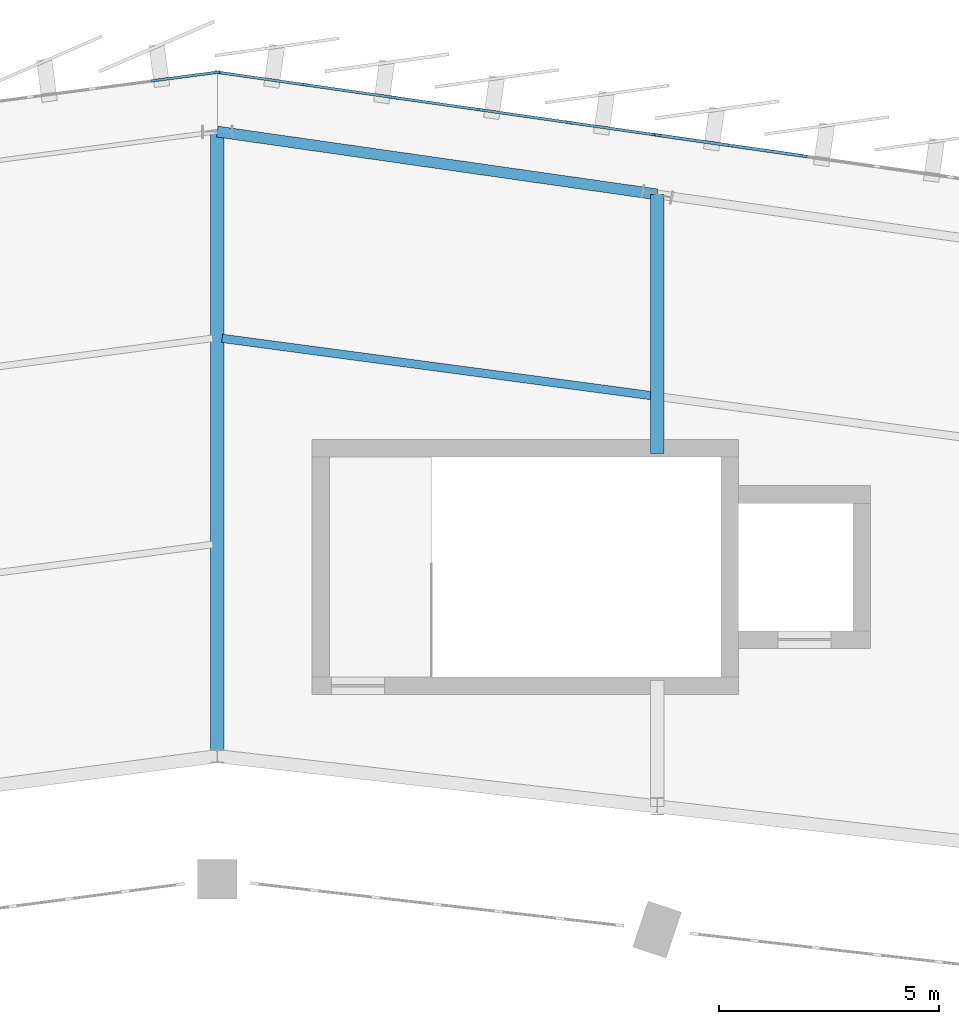
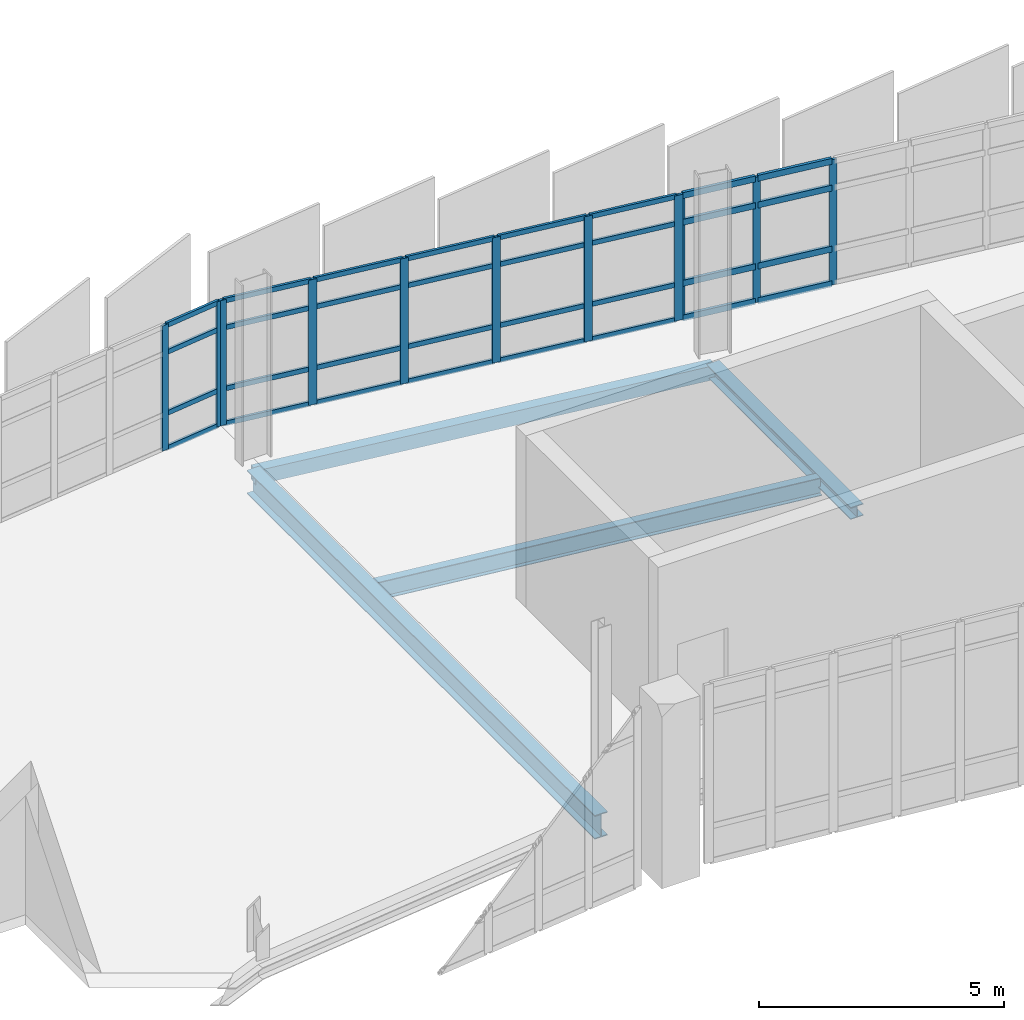
# One storey, part 37 of 67: 43 members, 4 beams, 3 elements without a shape of their own.
"""IFC4 building model written with IfcOpenShell, lengths in metres."""

from ifc_helpers import new_model, si_unit, direction, frame, origin, origin_2d, place, context, subcontext, project, spatial, rectangle, hollow_rectangle, i_section, extrude, material, layer, layer_set, material_profile, profile_set, type_object, element, aggregate, save


model = new_model("IFC4")

# Units and contexts
model_context = context("Model", 3, precision=1e-05, world=origin(), true_north=direction((0.0, 1.0)))
body_context = subcontext(model_context, "Body", "Model", "MODEL_VIEW")
ifc_project = project(units=[si_unit("LENGTHUNIT", "METRE"), si_unit("AREAUNIT", "SQUARE_METRE"), si_unit("VOLUMEUNIT", "CUBIC_METRE"), si_unit("PLANEANGLEUNIT", "RADIAN"), si_unit("MASSUNIT", "GRAM", prefix="KILO")], contexts=[model_context])

# Site, building, storey
site_placement = place(None, origin())
site = spatial("IfcSite", under=ifc_project, at=site_placement, CompositionType="ELEMENT")
building_placement = place(site_placement, origin())
building = spatial("IfcBuilding", under=site, at=building_placement, Name="Sohan Crest Arena", CompositionType="ELEMENT")
storey_placement = place(building_placement, frame((0.0, 0.0, 22.5)))
storey = spatial("IfcBuildingStorey", under=building, at=storey_placement, Name="L05", CompositionType="ELEMENT", Elevation=22.5)

# Curtain wall, members
ifc_material_1 = material(Name="Thermally broken anodised aluminium", Category="aluminium")
ifc_layer_1 = layer(ifc_material_1, 0.179931640625, Name="Thermally broken anodised aluminium")
ifc_layer_set_1 = layer_set([ifc_layer_1], Name="Thermally broken anodised aluminium")
curtain_wall_type_1 = type_object("IfcCurtainWallType", Name="ARC-CW01", PredefinedType="NOTDEFINED", material=ifc_layer_set_1)
curtain_wall_1_placement = place(storey_placement, origin())
curtain_wall_1 = element("IfcCurtainWall", 1, at=curtain_wall_1_placement, inside=storey, type_object=curtain_wall_type_1, Name="Unitised curtain wall CW-146", PredefinedType="NOTDEFINED")
ifc_material_profile_1 = material_profile(ifc_material_1, rectangle(XDim=0.06005859375, YDim=0.159912109375, at=origin_2d()), Name="ALU-MULL 60x160")
ifc_profile_set_1 = profile_set([ifc_material_profile_1], Name="Thermally broken anodised aluminium")
member_type_1 = type_object("IfcMemberType", Name="ARC-CW-ML01", PredefinedType="MULLION", material=ifc_profile_set_1)
member_1_placement = place(storey_placement, frame((97.97021484375, 127.34619140625, 0.0), z_axis=(0.0, 0.0, 1.0), x_axis=(0.130556913275, -0.991440816386, 0.0)))
member_1 = element("IfcMember", 2, at=member_1_placement, type_object=member_type_1, Name="CW-146 mullion 1", PredefinedType="MULLION", context=body_context, shape_type="SweptSolid", body=[
    extrude(rectangle(XDim=0.06005859375, YDim=0.159912109375, at=origin_2d()), origin(), (0.0, 0.0, 1.0), 3.1201171875),
])
member_2_placement = place(storey_placement, frame((96.580810546875, 127.1630859375, 0.0), z_axis=(0.0, 0.0, 1.0), x_axis=(0.130556913275, -0.991440816386, 0.0)))
member_2 = element("IfcMember", 3, at=member_2_placement, type_object=member_type_1, Name="CW-146 mullion 2", PredefinedType="MULLION", context=body_context, shape_type="SweptSolid", body=[
    extrude(rectangle(XDim=0.06005859375, YDim=0.159912109375, at=origin_2d()), origin(), (0.0, 0.0, 1.0), 3.1201171875),
])

ifc_layer_2 = layer(ifc_material_1, 0.219970703125, Name="Thermally broken anodised aluminium")
ifc_layer_set_2 = layer_set([ifc_layer_2], Name="Thermally broken anodised aluminium")
curtain_wall_type_2 = type_object("IfcCurtainWallType", Name="ARC-CW03", PredefinedType="NOTDEFINED", material=ifc_layer_set_2)
curtain_wall_2_placement = place(storey_placement, origin())
curtain_wall_2 = element("IfcCurtainWall", 4, at=curtain_wall_2_placement, inside=storey, type_object=curtain_wall_type_2, Name="Unitised curtain wall CW-162", PredefinedType="NOTDEFINED")
member_3_placement = place(storey_placement, frame((111.333251953125, 125.445068359375, 0.0), z_axis=(0.0, 0.0, 1.0), x_axis=(-0.141365918403, -0.989957411768, 0.0)))
member_3 = element("IfcMember", 5, at=member_3_placement, type_object=member_type_1, Name="CW-162 mullion 5", PredefinedType="MULLION", context=body_context, shape_type="SweptSolid", body=[
    extrude(rectangle(XDim=0.06005859375, YDim=0.159912109375, at=origin_2d()), origin(), (0.0, 0.0, 1.0), 3.1201171875),
])
member_4_placement = place(storey_placement, frame((109.666748046875, 125.68310546875, 0.0), z_axis=(0.0, 0.0, 1.0), x_axis=(-0.141365918403, -0.989957411768, 0.0)))
member_4 = element("IfcMember", 6, at=member_4_placement, type_object=member_type_1, Name="CW-162 mullion 6", PredefinedType="MULLION", context=body_context, shape_type="SweptSolid", body=[
    extrude(rectangle(XDim=0.06005859375, YDim=0.159912109375, at=origin_2d()), origin(), (0.0, 0.0, 1.0), 3.1201171875),
])
member_5_placement = place(storey_placement, frame((108.02978515625, 125.916748046875, 0.0), z_axis=(0.0, 0.0, 1.0), x_axis=(-0.141365918403, -0.989957411768, 0.0)))
member_5 = element("IfcMember", 7, at=member_5_placement, type_object=member_type_1, Name="CW-162 mullion 7", PredefinedType="MULLION", context=body_context, shape_type="SweptSolid", body=[
    extrude(rectangle(XDim=0.06005859375, YDim=0.159912109375, at=origin_2d()), origin(), (0.0, 0.0, 1.0), 3.1201171875),
])

ifc_layer_3 = layer(ifc_material_1, 0.239990234375, Name="Thermally broken anodised aluminium")
ifc_layer_set_3 = layer_set([ifc_layer_3], Name="Thermally broken anodised aluminium")
curtain_wall_type_3 = type_object("IfcCurtainWallType", Name="ARC-CW04", PredefinedType="NOTDEFINED", material=ifc_layer_set_3)
curtain_wall_3_placement = place(storey_placement, origin())
curtain_wall_3 = element("IfcCurtainWall", 8, at=curtain_wall_3_placement, inside=storey, type_object=curtain_wall_type_3, Name="Unitised curtain wall CW-163", PredefinedType="NOTDEFINED")
ifc_material_profile_2 = material_profile(ifc_material_1, rectangle(XDim=0.06494140625, YDim=0.179931640625, at=origin_2d()), Name="ALU-MULL 65x180")
ifc_profile_set_2 = profile_set([ifc_material_profile_2], Name="Thermally broken anodised aluminium")
member_type_2 = type_object("IfcMemberType", Name="ARC-CW-ML02", PredefinedType="MULLION", material=ifc_profile_set_2)
member_6_placement = place(storey_placement, frame((107.9677734375, 125.925537109375, 0.0), z_axis=(0.0, 0.0, 1.0), x_axis=(-0.141462933734, -0.989943553128, 0.0)))
member_6 = element("IfcMember", 9, at=member_6_placement, type_object=member_type_2, Name="CW-163 mullion 1", PredefinedType="MULLION", context=body_context, shape_type="SweptSolid", body=[
    extrude(rectangle(XDim=0.06494140625, YDim=0.179931640625, at=origin_2d()), origin(), (0.0, 0.0, 1.0), 3.1201171875),
])
member_7_placement = place(storey_placement, frame((106.0, 126.206787109375, 0.0), z_axis=(0.0, 0.0, 1.0), x_axis=(-0.141462933734, -0.989943553128, 0.0)))
member_7 = element("IfcMember", 10, at=member_7_placement, type_object=member_type_2, Name="CW-163 mullion 2", PredefinedType="MULLION", context=body_context, shape_type="SweptSolid", body=[
    extrude(rectangle(XDim=0.06494140625, YDim=0.179931640625, at=origin_2d()), origin(), (0.0, 0.0, 1.0), 3.1201171875),
])
member_8_placement = place(storey_placement, frame((104.0, 126.49267578125, 0.0), z_axis=(0.0, 0.0, 1.0), x_axis=(-0.141462933734, -0.989943553128, 0.0)))
member_8 = element("IfcMember", 11, at=member_8_placement, type_object=member_type_2, Name="CW-163 mullion 3", PredefinedType="MULLION", context=body_context, shape_type="SweptSolid", body=[
    extrude(rectangle(XDim=0.06494140625, YDim=0.179931640625, at=origin_2d()), origin(), (0.0, 0.0, 1.0), 3.1201171875),
])
member_9_placement = place(storey_placement, frame((102.0, 126.7783203125, 0.0), z_axis=(0.0, 0.0, 1.0), x_axis=(-0.141462933734, -0.989943553128, 0.0)))
member_9 = element("IfcMember", 12, at=member_9_placement, type_object=member_type_2, Name="CW-163 mullion 4", PredefinedType="MULLION", context=body_context, shape_type="SweptSolid", body=[
    extrude(rectangle(XDim=0.06494140625, YDim=0.179931640625, at=origin_2d()), origin(), (0.0, 0.0, 1.0), 3.1201171875),
])
member_10_placement = place(storey_placement, frame((100.0, 127.064208984375, 0.0), z_axis=(0.0, 0.0, 1.0), x_axis=(-0.141462933734, -0.989943553128, 0.0)))
member_10 = element("IfcMember", 13, at=member_10_placement, type_object=member_type_2, Name="CW-163 mullion 5", PredefinedType="MULLION", context=body_context, shape_type="SweptSolid", body=[
    extrude(rectangle(XDim=0.06494140625, YDim=0.179931640625, at=origin_2d()), origin(), (0.0, 0.0, 1.0), 3.1201171875),
])
member_11_placement = place(storey_placement, frame((98.0322265625, 127.345458984375, 0.0), z_axis=(0.0, 0.0, 1.0), x_axis=(-0.141462933734, -0.989943553128, 0.0)))
member_11 = element("IfcMember", 14, at=member_11_placement, type_object=member_type_2, Name="CW-163 mullion 6", PredefinedType="MULLION", context=body_context, shape_type="SweptSolid", body=[
    extrude(rectangle(XDim=0.06494140625, YDim=0.179931640625, at=origin_2d()), origin(), (0.0, 0.0, 1.0), 3.1201171875),
])

# Member
ifc_material_profile_3 = material_profile(ifc_material_1, rectangle(XDim=0.06005859375, YDim=0.1201171875, at=origin_2d()), Name="ALU-TRAN 60x120")
ifc_profile_set_3 = profile_set([ifc_material_profile_3], Name="Thermally broken anodised aluminium")
member_type_3 = type_object("IfcMemberType", Name="ARC-CW-TR01", PredefinedType="USERDEFINED", material=ifc_profile_set_3)
member_12_placement = place(storey_placement, frame((97.9404296875, 127.34228515625, 0.030029296875), z_axis=(-0.991423912577, -0.130685215574, 0.0), x_axis=(0.130685215574, -0.991423912577, 0.0)))
member_12 = element("IfcMember", 15, at=member_12_placement, type_object=member_type_3, Name="CW-146 transom 1.1", ObjectType="TRANSOM", PredefinedType="USERDEFINED", context=body_context, shape_type="SweptSolid", body=[
    extrude(rectangle(XDim=0.06005859375, YDim=0.1201171875, at=origin_2d()), origin(), (0.0, 0.0, 1.0), 1.34130859375),
])

member_13_placement = place(storey_placement, frame((97.9404296875, 127.34228515625, 0.89990234375), z_axis=(-0.991423912577, -0.130685215574, 0.0), x_axis=(0.130685215574, -0.991423912577, 0.0)))
member_13 = element("IfcMember", 16, at=member_13_placement, type_object=member_type_3, Name="CW-146 transom 1.2", ObjectType="TRANSOM", PredefinedType="USERDEFINED", context=body_context, shape_type="SweptSolid", body=[
    extrude(rectangle(XDim=0.06005859375, YDim=0.1201171875, at=origin_2d()), origin(), (0.0, 0.0, 1.0), 1.34130859375),
])

member_14_placement = place(storey_placement, frame((97.9404296875, 127.34228515625, 2.419921875), z_axis=(-0.991423912577, -0.130685215574, 0.0), x_axis=(0.130685215574, -0.991423912577, 0.0)))
member_14 = element("IfcMember", 17, at=member_14_placement, type_object=member_type_3, Name="CW-146 transom 1.3", ObjectType="TRANSOM", PredefinedType="USERDEFINED", context=body_context, shape_type="SweptSolid", body=[
    extrude(rectangle(XDim=0.06005859375, YDim=0.1201171875, at=origin_2d()), origin(), (0.0, 0.0, 1.0), 1.34130859375),
])

member_15_placement = place(storey_placement, frame((97.9404296875, 127.34228515625, 3.090087890625), z_axis=(-0.991423912577, -0.130685215574, 0.0), x_axis=(0.130685215574, -0.991423912577, 0.0)))
member_15 = element("IfcMember", 18, at=member_15_placement, type_object=member_type_3, Name="CW-146 transom 1.4", ObjectType="TRANSOM", PredefinedType="USERDEFINED", context=body_context, shape_type="SweptSolid", body=[
    extrude(rectangle(XDim=0.06005859375, YDim=0.1201171875, at=origin_2d()), origin(), (0.0, 0.0, 1.0), 1.34130859375),
])

aggregate(curtain_wall_1, [member_1, member_2, member_12, member_13, member_14, member_15])

member_16_placement = place(storey_placement, frame((107.935546875, 125.93017578125, 0.030029296875), z_axis=(-0.98994441378, 0.141456910845, 0.0), x_axis=(-0.141456910845, -0.98994441378, 0.0)))
member_16 = element("IfcMember", 19, at=member_16_placement, type_object=member_type_3, Name="CW-163 transom 1.1", ObjectType="TRANSOM", PredefinedType="USERDEFINED", context=body_context, shape_type="SweptSolid", body=[
    extrude(rectangle(XDim=0.06005859375, YDim=0.1201171875, at=origin_2d()), origin(), (0.0, 0.0, 1.0), 1.922607421875),
])

member_17_placement = place(storey_placement, frame((107.935546875, 125.93017578125, 0.89990234375), z_axis=(-0.98994441378, 0.141456910845, 0.0), x_axis=(-0.141456910845, -0.98994441378, 0.0)))
member_17 = element("IfcMember", 20, at=member_17_placement, type_object=member_type_3, Name="CW-163 transom 1.2", ObjectType="TRANSOM", PredefinedType="USERDEFINED", context=body_context, shape_type="SweptSolid", body=[
    extrude(rectangle(XDim=0.06005859375, YDim=0.1201171875, at=origin_2d()), origin(), (0.0, 0.0, 1.0), 1.922607421875),
])

member_18_placement = place(storey_placement, frame((107.935546875, 125.93017578125, 2.419921875), z_axis=(-0.98994441378, 0.141456910845, 0.0), x_axis=(-0.141456910845, -0.98994441378, 0.0)))
member_18 = element("IfcMember", 21, at=member_18_placement, type_object=member_type_3, Name="CW-163 transom 1.3", ObjectType="TRANSOM", PredefinedType="USERDEFINED", context=body_context, shape_type="SweptSolid", body=[
    extrude(rectangle(XDim=0.06005859375, YDim=0.1201171875, at=origin_2d()), origin(), (0.0, 0.0, 1.0), 1.922607421875),
])

member_19_placement = place(storey_placement, frame((107.935546875, 125.93017578125, 3.090087890625), z_axis=(-0.98994441378, 0.141456910845, 0.0), x_axis=(-0.141456910845, -0.98994441378, 0.0)))
member_19 = element("IfcMember", 22, at=member_19_placement, type_object=member_type_3, Name="CW-163 transom 1.4", ObjectType="TRANSOM", PredefinedType="USERDEFINED", context=body_context, shape_type="SweptSolid", body=[
    extrude(rectangle(XDim=0.06005859375, YDim=0.1201171875, at=origin_2d()), origin(), (0.0, 0.0, 1.0), 1.922607421875),
])

member_20_placement = place(storey_placement, frame((105.9677734375, 126.21142578125, 0.030029296875), z_axis=(-0.989942000279, 0.141473799989, 0.0), x_axis=(-0.141473799989, -0.989942000279, 0.0)))
member_20 = element("IfcMember", 23, at=member_20_placement, type_object=member_type_3, Name="CW-163 transom 2.1", ObjectType="TRANSOM", PredefinedType="USERDEFINED", context=body_context, shape_type="SweptSolid", body=[
    extrude(rectangle(XDim=0.06005859375, YDim=0.1201171875, at=origin_2d()), origin(), (0.0, 0.0, 1.0), 1.955322265625),
])

member_21_placement = place(storey_placement, frame((105.9677734375, 126.21142578125, 0.89990234375), z_axis=(-0.989942000279, 0.141473799989, 0.0), x_axis=(-0.141473799989, -0.989942000279, 0.0)))
member_21 = element("IfcMember", 24, at=member_21_placement, type_object=member_type_3, Name="CW-163 transom 2.2", ObjectType="TRANSOM", PredefinedType="USERDEFINED", context=body_context, shape_type="SweptSolid", body=[
    extrude(rectangle(XDim=0.06005859375, YDim=0.1201171875, at=origin_2d()), origin(), (0.0, 0.0, 1.0), 1.955322265625),
])

member_22_placement = place(storey_placement, frame((105.9677734375, 126.21142578125, 2.419921875), z_axis=(-0.989942000279, 0.141473799989, 0.0), x_axis=(-0.141473799989, -0.989942000279, 0.0)))
member_22 = element("IfcMember", 25, at=member_22_placement, type_object=member_type_3, Name="CW-163 transom 2.3", ObjectType="TRANSOM", PredefinedType="USERDEFINED", context=body_context, shape_type="SweptSolid", body=[
    extrude(rectangle(XDim=0.06005859375, YDim=0.1201171875, at=origin_2d()), origin(), (0.0, 0.0, 1.0), 1.955322265625),
])

member_23_placement = place(storey_placement, frame((105.9677734375, 126.21142578125, 3.090087890625), z_axis=(-0.989942000279, 0.141473799989, 0.0), x_axis=(-0.141473799989, -0.989942000279, 0.0)))
member_23 = element("IfcMember", 26, at=member_23_placement, type_object=member_type_3, Name="CW-163 transom 2.4", ObjectType="TRANSOM", PredefinedType="USERDEFINED", context=body_context, shape_type="SweptSolid", body=[
    extrude(rectangle(XDim=0.06005859375, YDim=0.1201171875, at=origin_2d()), origin(), (0.0, 0.0, 1.0), 1.955322265625),
])

member_24_placement = place(storey_placement, frame((103.9677734375, 126.497314453125, 0.030029296875), z_axis=(-0.989959480692, 0.141351429382, 0.0), x_axis=(-0.141351429382, -0.989959480692, 0.0)))
member_24 = element("IfcMember", 27, at=member_24_placement, type_object=member_type_3, Name="CW-163 transom 3.1", ObjectType="TRANSOM", PredefinedType="USERDEFINED", context=body_context, shape_type="SweptSolid", body=[
    extrude(rectangle(XDim=0.06005859375, YDim=0.1201171875, at=origin_2d()), origin(), (0.0, 0.0, 1.0), 1.955078125),
])

member_25_placement = place(storey_placement, frame((103.9677734375, 126.497314453125, 0.89990234375), z_axis=(-0.989959480692, 0.141351429382, 0.0), x_axis=(-0.141351429382, -0.989959480692, 0.0)))
member_25 = element("IfcMember", 28, at=member_25_placement, type_object=member_type_3, Name="CW-163 transom 3.2", ObjectType="TRANSOM", PredefinedType="USERDEFINED", context=body_context, shape_type="SweptSolid", body=[
    extrude(rectangle(XDim=0.06005859375, YDim=0.1201171875, at=origin_2d()), origin(), (0.0, 0.0, 1.0), 1.955078125),
])

member_26_placement = place(storey_placement, frame((103.9677734375, 126.497314453125, 2.419921875), z_axis=(-0.989959480692, 0.141351429382, 0.0), x_axis=(-0.141351429382, -0.989959480692, 0.0)))
member_26 = element("IfcMember", 29, at=member_26_placement, type_object=member_type_3, Name="CW-163 transom 3.3", ObjectType="TRANSOM", PredefinedType="USERDEFINED", context=body_context, shape_type="SweptSolid", body=[
    extrude(rectangle(XDim=0.06005859375, YDim=0.1201171875, at=origin_2d()), origin(), (0.0, 0.0, 1.0), 1.955078125),
])

member_27_placement = place(storey_placement, frame((103.9677734375, 126.497314453125, 3.090087890625), z_axis=(-0.989959480692, 0.141351429382, 0.0), x_axis=(-0.141351429382, -0.989959480692, 0.0)))
member_27 = element("IfcMember", 30, at=member_27_placement, type_object=member_type_3, Name="CW-163 transom 3.4", ObjectType="TRANSOM", PredefinedType="USERDEFINED", context=body_context, shape_type="SweptSolid", body=[
    extrude(rectangle(XDim=0.06005859375, YDim=0.1201171875, at=origin_2d()), origin(), (0.0, 0.0, 1.0), 1.955078125),
])

member_28_placement = place(storey_placement, frame((101.9677734375, 126.782958984375, 0.030029296875), z_axis=(-0.989942000279, 0.141473799989, 0.0), x_axis=(-0.141473799989, -0.989942000279, 0.0)))
member_28 = element("IfcMember", 31, at=member_28_placement, type_object=member_type_3, Name="CW-163 transom 4.1", ObjectType="TRANSOM", PredefinedType="USERDEFINED", context=body_context, shape_type="SweptSolid", body=[
    extrude(rectangle(XDim=0.06005859375, YDim=0.1201171875, at=origin_2d()), origin(), (0.0, 0.0, 1.0), 1.955322265625),
])

member_29_placement = place(storey_placement, frame((101.9677734375, 126.782958984375, 0.89990234375), z_axis=(-0.989942000279, 0.141473799989, 0.0), x_axis=(-0.141473799989, -0.989942000279, 0.0)))
member_29 = element("IfcMember", 32, at=member_29_placement, type_object=member_type_3, Name="CW-163 transom 4.2", ObjectType="TRANSOM", PredefinedType="USERDEFINED", context=body_context, shape_type="SweptSolid", body=[
    extrude(rectangle(XDim=0.06005859375, YDim=0.1201171875, at=origin_2d()), origin(), (0.0, 0.0, 1.0), 1.955322265625),
])

member_30_placement = place(storey_placement, frame((101.9677734375, 126.782958984375, 2.419921875), z_axis=(-0.989942000279, 0.141473799989, 0.0), x_axis=(-0.141473799989, -0.989942000279, 0.0)))
member_30 = element("IfcMember", 33, at=member_30_placement, type_object=member_type_3, Name="CW-163 transom 4.3", ObjectType="TRANSOM", PredefinedType="USERDEFINED", context=body_context, shape_type="SweptSolid", body=[
    extrude(rectangle(XDim=0.06005859375, YDim=0.1201171875, at=origin_2d()), origin(), (0.0, 0.0, 1.0), 1.955322265625),
])

member_31_placement = place(storey_placement, frame((101.9677734375, 126.782958984375, 3.090087890625), z_axis=(-0.989942000279, 0.141473799989, 0.0), x_axis=(-0.141473799989, -0.989942000279, 0.0)))
member_31 = element("IfcMember", 34, at=member_31_placement, type_object=member_type_3, Name="CW-163 transom 4.4", ObjectType="TRANSOM", PredefinedType="USERDEFINED", context=body_context, shape_type="SweptSolid", body=[
    extrude(rectangle(XDim=0.06005859375, YDim=0.1201171875, at=origin_2d()), origin(), (0.0, 0.0, 1.0), 1.955322265625),
])

member_32_placement = place(storey_placement, frame((99.9677734375, 127.06884765625, 0.030029296875), z_axis=(-0.98994441378, 0.141456910845, 0.0), x_axis=(-0.141456910845, -0.98994441378, 0.0)))
member_32 = element("IfcMember", 35, at=member_32_placement, type_object=member_type_3, Name="CW-163 transom 5.1", ObjectType="TRANSOM", PredefinedType="USERDEFINED", context=body_context, shape_type="SweptSolid", body=[
    extrude(rectangle(XDim=0.06005859375, YDim=0.1201171875, at=origin_2d()), origin(), (0.0, 0.0, 1.0), 1.922607421875),
])

member_33_placement = place(storey_placement, frame((99.9677734375, 127.06884765625, 0.89990234375), z_axis=(-0.98994441378, 0.141456910845, 0.0), x_axis=(-0.141456910845, -0.98994441378, 0.0)))
member_33 = element("IfcMember", 36, at=member_33_placement, type_object=member_type_3, Name="CW-163 transom 5.2", ObjectType="TRANSOM", PredefinedType="USERDEFINED", context=body_context, shape_type="SweptSolid", body=[
    extrude(rectangle(XDim=0.06005859375, YDim=0.1201171875, at=origin_2d()), origin(), (0.0, 0.0, 1.0), 1.922607421875),
])

member_34_placement = place(storey_placement, frame((99.9677734375, 127.06884765625, 2.419921875), z_axis=(-0.98994441378, 0.141456910845, 0.0), x_axis=(-0.141456910845, -0.98994441378, 0.0)))
member_34 = element("IfcMember", 37, at=member_34_placement, type_object=member_type_3, Name="CW-163 transom 5.3", ObjectType="TRANSOM", PredefinedType="USERDEFINED", context=body_context, shape_type="SweptSolid", body=[
    extrude(rectangle(XDim=0.06005859375, YDim=0.1201171875, at=origin_2d()), origin(), (0.0, 0.0, 1.0), 1.922607421875),
])

member_35_placement = place(storey_placement, frame((99.9677734375, 127.06884765625, 3.090087890625), z_axis=(-0.98994441378, 0.141456910845, 0.0), x_axis=(-0.141456910845, -0.98994441378, 0.0)))
member_35 = element("IfcMember", 38, at=member_35_placement, type_object=member_type_3, Name="CW-163 transom 5.4", ObjectType="TRANSOM", PredefinedType="USERDEFINED", context=body_context, shape_type="SweptSolid", body=[
    extrude(rectangle(XDim=0.06005859375, YDim=0.1201171875, at=origin_2d()), origin(), (0.0, 0.0, 1.0), 1.922607421875),
])

aggregate(curtain_wall_3, [member_6, member_7, member_8, member_9, member_10, member_11, member_16, member_17, member_18, member_19, member_20, member_21, member_22, member_23, member_24, member_25, member_26, member_27, member_28, member_29, member_30, member_31, member_32, member_33, member_34, member_35])

ifc_material_profile_4 = material_profile(ifc_material_1, rectangle(XDim=0.070068359375, YDim=0.14990234375, at=origin_2d()), Name="ALU-TRAN 70x150")
ifc_profile_set_4 = profile_set([ifc_material_profile_4], Name="Thermally broken anodised aluminium")
member_type_4 = type_object("IfcMemberType", Name="ARC-CW-TR03", PredefinedType="USERDEFINED", material=ifc_profile_set_4)
member_36_placement = place(storey_placement, frame((111.3037109375, 125.44921875, 0.034912109375), z_axis=(-0.989961518774, 0.141337154868, 0.0), x_axis=(-0.141337154868, -0.989961518774, 0.0)))
member_36 = element("IfcMember", 39, at=member_36_placement, type_object=member_type_4, Name="CW-162 transom 5.1", ObjectType="TRANSOM", PredefinedType="USERDEFINED", context=body_context, shape_type="SweptSolid", body=[
    extrude(rectangle(XDim=0.070068359375, YDim=0.14990234375, at=origin_2d()), origin(), (0.0, 0.0, 1.0), 1.623779296875),
])

member_37_placement = place(storey_placement, frame((111.3037109375, 125.44921875, 0.89990234375), z_axis=(-0.989961518774, 0.141337154868, 0.0), x_axis=(-0.141337154868, -0.989961518774, 0.0)))
member_37 = element("IfcMember", 40, at=member_37_placement, type_object=member_type_4, Name="CW-162 transom 5.2", ObjectType="TRANSOM", PredefinedType="USERDEFINED", context=body_context, shape_type="SweptSolid", body=[
    extrude(rectangle(XDim=0.070068359375, YDim=0.14990234375, at=origin_2d()), origin(), (0.0, 0.0, 1.0), 1.623779296875),
])

member_38_placement = place(storey_placement, frame((111.3037109375, 125.44921875, 2.419921875), z_axis=(-0.989961518774, 0.141337154868, 0.0), x_axis=(-0.141337154868, -0.989961518774, 0.0)))
member_38 = element("IfcMember", 41, at=member_38_placement, type_object=member_type_4, Name="CW-162 transom 5.3", ObjectType="TRANSOM", PredefinedType="USERDEFINED", context=body_context, shape_type="SweptSolid", body=[
    extrude(rectangle(XDim=0.070068359375, YDim=0.14990234375, at=origin_2d()), origin(), (0.0, 0.0, 1.0), 1.623779296875),
])

member_39_placement = place(storey_placement, frame((111.3037109375, 125.44921875, 3.0849609375), z_axis=(-0.989961518774, 0.141337154868, 0.0), x_axis=(-0.141337154868, -0.989961518774, 0.0)))
member_39 = element("IfcMember", 42, at=member_39_placement, type_object=member_type_4, Name="CW-162 transom 5.4", ObjectType="TRANSOM", PredefinedType="USERDEFINED", context=body_context, shape_type="SweptSolid", body=[
    extrude(rectangle(XDim=0.070068359375, YDim=0.14990234375, at=origin_2d()), origin(), (0.0, 0.0, 1.0), 1.623779296875),
])

member_40_placement = place(storey_placement, frame((109.636962890625, 125.687255859375, 0.034912109375), z_axis=(-0.989952557349, 0.141399908764, 0.0), x_axis=(-0.141399908764, -0.989952557349, 0.0)))
member_40 = element("IfcMember", 43, at=member_40_placement, type_object=member_type_4, Name="CW-162 transom 6.1", ObjectType="TRANSOM", PredefinedType="USERDEFINED", context=body_context, shape_type="SweptSolid", body=[
    extrude(rectangle(XDim=0.070068359375, YDim=0.14990234375, at=origin_2d()), origin(), (0.0, 0.0, 1.0), 1.59375),
])

member_41_placement = place(storey_placement, frame((109.636962890625, 125.687255859375, 0.89990234375), z_axis=(-0.989952557349, 0.141399908764, 0.0), x_axis=(-0.141399908764, -0.989952557349, 0.0)))
member_41 = element("IfcMember", 44, at=member_41_placement, type_object=member_type_4, Name="CW-162 transom 6.2", ObjectType="TRANSOM", PredefinedType="USERDEFINED", context=body_context, shape_type="SweptSolid", body=[
    extrude(rectangle(XDim=0.070068359375, YDim=0.14990234375, at=origin_2d()), origin(), (0.0, 0.0, 1.0), 1.59375),
])

member_42_placement = place(storey_placement, frame((109.636962890625, 125.687255859375, 2.419921875), z_axis=(-0.989952557349, 0.141399908764, 0.0), x_axis=(-0.141399908764, -0.989952557349, 0.0)))
member_42 = element("IfcMember", 45, at=member_42_placement, type_object=member_type_4, Name="CW-162 transom 6.3", ObjectType="TRANSOM", PredefinedType="USERDEFINED", context=body_context, shape_type="SweptSolid", body=[
    extrude(rectangle(XDim=0.070068359375, YDim=0.14990234375, at=origin_2d()), origin(), (0.0, 0.0, 1.0), 1.59375),
])

member_43_placement = place(storey_placement, frame((109.636962890625, 125.687255859375, 3.0849609375), z_axis=(-0.989952557349, 0.141399908764, 0.0), x_axis=(-0.141399908764, -0.989952557349, 0.0)))
member_43 = element("IfcMember", 46, at=member_43_placement, type_object=member_type_4, Name="CW-162 transom 6.4", ObjectType="TRANSOM", PredefinedType="USERDEFINED", context=body_context, shape_type="SweptSolid", body=[
    extrude(rectangle(XDim=0.070068359375, YDim=0.14990234375, at=origin_2d()), origin(), (0.0, 0.0, 1.0), 1.59375),
])

aggregate(curtain_wall_2, [member_3, member_4, member_5, member_36, member_37, member_38, member_39, member_40, member_41, member_42, member_43])

# Beams
ifc_material_2 = material(Name="Steel S355", Category="steel")
ifc_material_profile_5 = material_profile(ifc_material_2, i_section(OverallWidth=0.18994140625, OverallDepth=0.449951171875, WebThickness=0.009521484375, FlangeThickness=0.0146484375, at=origin_2d()), Name="IPE 450")
ifc_profile_set_5 = profile_set([ifc_material_profile_5], Name="Steel S355")
beam_type_1 = type_object("IfcBeamType", Name="STR-BM-B04", PredefinedType="JOIST", material=ifc_profile_set_5)
beam_1_placement = place(storey_placement, frame((107.89111328125, 119.993896484375, -0.47509765625), z_axis=(-0.991216229825, 0.132251222039, 0.0), x_axis=(-0.132251222039, -0.991216229825, 0.0)))
element("IfcBeam", 47, at=beam_1_placement, inside=storey, type_object=beam_type_1, Name="Structural beam J-L05-1864", PredefinedType="JOIST", context=body_context, shape_type="SweptSolid", body=[
    extrude(i_section(OverallWidth=0.18994140625, OverallDepth=0.449951171875, WebThickness=0.009521484375, FlangeThickness=0.0146484375, at=origin_2d()), origin(), (0.0, 0.0, 1.0), 9.868896484375),
])
ifc_material_profile_6 = material_profile(ifc_material_2, i_section(OverallWidth=0.300048828125, OverallDepth=0.590087890625, WebThickness=0.012939453125, FlangeThickness=0.02490234375, at=origin_2d()), Name="HEA 600")
ifc_profile_set_6 = profile_set([ifc_material_profile_6], Name="Steel S355")
beam_type_2 = type_object("IfcBeamType", Name="STR-BM-B11", PredefinedType="BEAM", material=ifc_profile_set_6)
beam_2_placement = place(storey_placement, frame((98.0, 111.800048828125, -0.544921875), z_axis=(0.0, 1.0, 0.0), x_axis=(-1.0, 0.0, 0.0)))
element("IfcBeam", 48, at=beam_2_placement, inside=storey, type_object=beam_type_2, Name="Structural beam G-L05-1707", PredefinedType="BEAM", context=body_context, shape_type="SweptSolid", body=[
    extrude(i_section(OverallWidth=0.300048828125, OverallDepth=0.590087890625, WebThickness=0.012939453125, FlangeThickness=0.02490234375, at=origin_2d()), origin(), (0.0, 0.0, 1.0), 14.199951171875),
])
ifc_material_profile_7 = material_profile(ifc_material_2, i_section(OverallWidth=0.300048828125, OverallDepth=0.300048828125, WebThickness=0.010986328125, FlangeThickness=0.01904296875, at=origin_2d()), Name="HEB 300")
ifc_profile_set_7 = profile_set([ifc_material_profile_7], Name="Steel S355")
beam_type_3 = type_object("IfcBeamType", Name="STR-BM-B12", PredefinedType="BEAM", material=ifc_profile_set_7)
beam_3_placement = place(storey_placement, frame((108.0, 118.679931640625, -0.39990234375), z_axis=(0.0, 1.0, 0.0), x_axis=(-1.0, 0.0, 0.0)))
element("IfcBeam", 49, at=beam_3_placement, inside=storey, type_object=beam_type_3, Name="Structural beam G-L05-1861", PredefinedType="BEAM", context=body_context, shape_type="SweptSolid", body=[
    extrude(i_section(OverallWidth=0.300048828125, OverallDepth=0.300048828125, WebThickness=0.010986328125, FlangeThickness=0.01904296875, at=origin_2d()), origin(), (0.0, 0.0, 1.0), 5.89111328125),
])
ifc_material_profile_8 = material_profile(ifc_material_2, hollow_rectangle(XDim=0.25, YDim=0.35009765625, WallThickness=0.012451171875, at=origin_2d()), Name="RHS 350x250x12.5")
ifc_profile_set_8 = profile_set([ifc_material_profile_8], Name="Steel S355")
beam_type_4 = type_object("IfcBeamType", Name="STR-BM-SP04", PredefinedType="SPANDREL", material=ifc_profile_set_8)
beam_4_placement = place(storey_placement, frame((108.0, 124.571044921875, -0.425048828125), z_axis=(-0.989944175879, 0.141458575718, 0.0), x_axis=(-0.141458575718, -0.989944175879, 0.0)))
element("IfcBeam", 50, at=beam_4_placement, inside=storey, type_object=beam_type_4, Name="Structural beam SP-L05-1863", PredefinedType="SPANDREL", context=body_context, shape_type="SweptSolid", body=[
    extrude(hollow_rectangle(XDim=0.25, YDim=0.35009765625, WallThickness=0.012451171875, at=origin_2d()), origin(), (0.0, 0.0, 1.0), 10.1015625),
])

save(model, "model.ifc")
